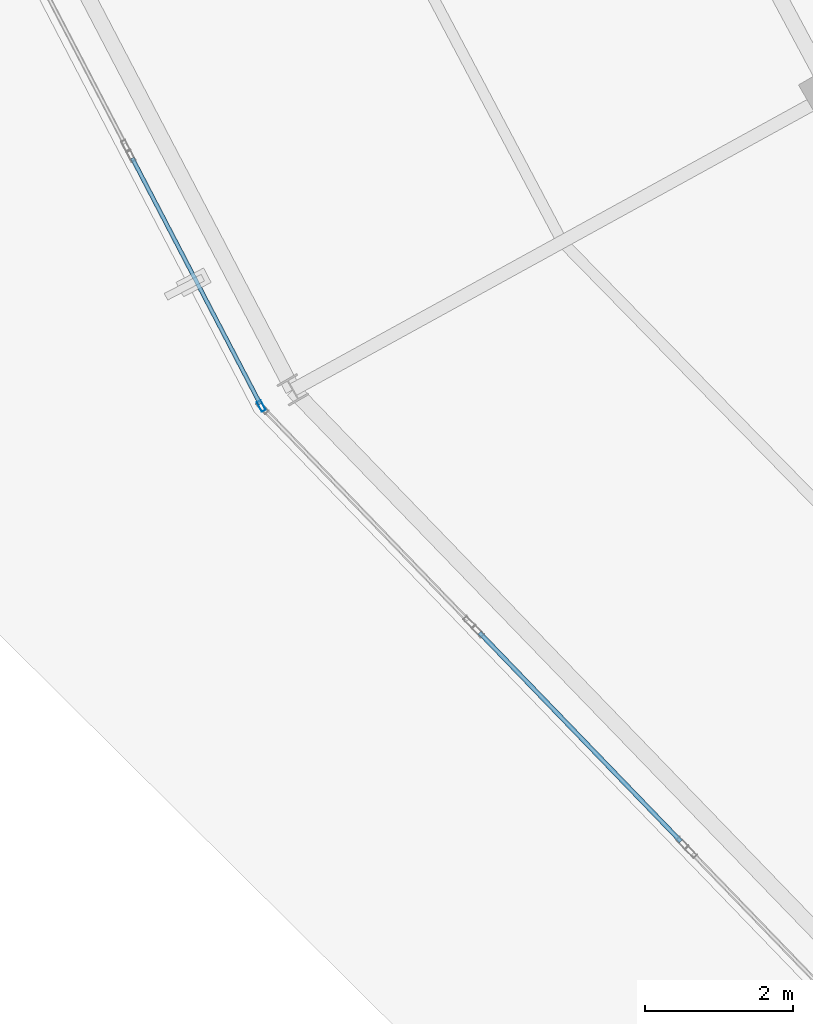
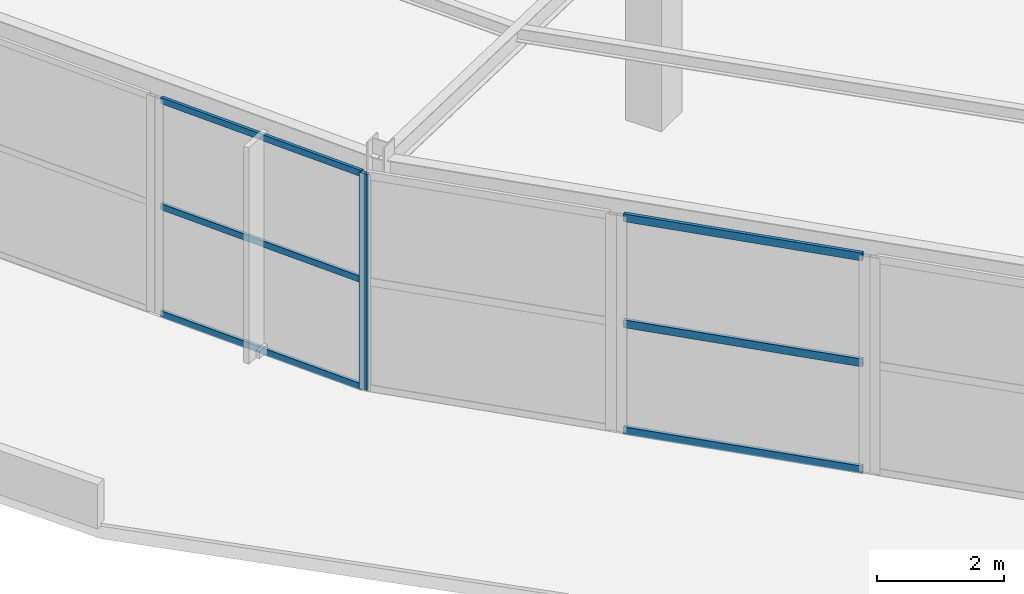
# One storey, part 13 of 126: 7 members, 2 elements without a shape of their own.
"""IFC4 building model written with IfcOpenShell, lengths in metres."""

from ifc_helpers import new_model, si_unit, direction, frame, origin, origin_2d, place, context, subcontext, project, spatial, hollow_rectangle, extrude, material, layer, layer_set, material_profile, profile_set, type_object, element, aggregate, save


model = new_model("IFC4")

# Units and contexts
model_context = context("Model", 3, precision=1e-05, world=origin(), true_north=direction((0.0, 1.0)))
body_context = subcontext(model_context, "Body", "Model", "MODEL_VIEW")
ifc_project = project(units=[si_unit("LENGTHUNIT", "METRE"), si_unit("AREAUNIT", "SQUARE_METRE"), si_unit("VOLUMEUNIT", "CUBIC_METRE"), si_unit("PLANEANGLEUNIT", "RADIAN"), si_unit("MASSUNIT", "GRAM", prefix="KILO")], contexts=[model_context])

# Site, building, storey
site_placement = place(None, origin())
site = spatial("IfcSite", under=ifc_project, at=site_placement, CompositionType="ELEMENT")
building_placement = place(site_placement, origin())
building = spatial("IfcBuilding", under=site, at=building_placement, Name="Kalgoora Escarpment Arena", CompositionType="ELEMENT")
storey_placement = place(building_placement, frame((0.0, 0.0, 18.89990234375)))
storey = spatial("IfcBuildingStorey", under=building, at=storey_placement, Name="L04", CompositionType="ELEMENT", Elevation=18.89990234375)

# Curtain wall, members
ifc_material_1 = material(Name=" Champagne anodised aluminium & double-glazed low-E", Category="aluminium")
ifc_layer_1 = layer(ifc_material_1, 0.154052734375)
ifc_layer_set_1 = layer_set([ifc_layer_1], Name="CW-UNIT-11")
curtain_wall_type_1 = type_object("IfcCurtainWallType", Name="CW-UNIT-11", PredefinedType="NOTDEFINED", material=ifc_layer_set_1)
curtain_wall_1_placement = place(storey_placement, origin())
curtain_wall_1 = element("IfcCurtainWall", 1, at=curtain_wall_1_placement, inside=storey, type_object=curtain_wall_type_1, Name="L04 unitised facade curtain wall 130", PredefinedType="NOTDEFINED")
ifc_material_2 = material(Name="Anodised aluminium 6063-T6", Category="aluminium")
ifc_material_profile_1 = material_profile(ifc_material_2, hollow_rectangle(XDim=0.06005859375, YDim=0.14990234375, WallThickness=0.00341796875, at=origin_2d()))
ifc_profile_set_1 = profile_set([ifc_material_profile_1], Name="Anodised aluminium 6063-T6")
member_type_1 = type_object("IfcMemberType", Name="MEM-CW-MULL-150", PredefinedType="MULLION", material=ifc_profile_set_1)
member_1_placement = place(storey_placement, frame((29.792236328125, 35.281982421875, 0.02001953125), z_axis=(0.0, 0.0, 1.0), x_axis=(-0.886986276427, -0.461795783252, 0.0)))
member_1 = element("IfcMember", 2, at=member_1_placement, type_object=member_type_1, Name="CW-11 mullion 1", PredefinedType="MULLION", context=body_context, shape_type="SweptSolid", body=[
    extrude(hollow_rectangle(XDim=0.06005859375, YDim=0.14990234375, WallThickness=0.00341796875, at=origin_2d()), origin(), (0.0, 0.0, 1.0), 4.150146484375),
])
ifc_material_3 = material(Name="Anodised aluminium 6063-T6", Category="aluminium")
ifc_material_profile_2 = material_profile(ifc_material_3, hollow_rectangle(XDim=0.054931640625, YDim=0.1201171875, WallThickness=0.003173828125, at=origin_2d()))
ifc_profile_set_2 = profile_set([ifc_material_profile_2], Name="Anodised aluminium 6063-T6")
member_type_2 = type_object("IfcMemberType", Name="MEM-CW-TRAN-120", PredefinedType="USERDEFINED", material=ifc_profile_set_2)
member_2_placement = place(storey_placement, frame((29.778564453125, 35.30859375, 0.047607421875), z_axis=(-0.461806233192, 0.886980835748, 0.0), x_axis=(-0.886980835748, -0.461806233192, 0.0)))
member_2 = element("IfcMember", 3, at=member_2_placement, type_object=member_type_2, Name="CW-11 transom 1.1", ObjectType="TRANSOM", PredefinedType="USERDEFINED", context=body_context, shape_type="SweptSolid", body=[
    extrude(hollow_rectangle(XDim=0.054931640625, YDim=0.1201171875, WallThickness=0.003173828125, at=origin_2d()), origin(), (0.0, 0.0, 1.0), 3.74560546875),
])
member_3_placement = place(storey_placement, frame((29.778564453125, 35.30859375, 2.10498046875), z_axis=(-0.461806233192, 0.886980835748, 0.0), x_axis=(-0.886980835748, -0.461806233192, 0.0)))
member_3 = element("IfcMember", 4, at=member_3_placement, type_object=member_type_2, Name="CW-11 transom 1.2", ObjectType="TRANSOM", PredefinedType="USERDEFINED", context=body_context, shape_type="SweptSolid", body=[
    extrude(hollow_rectangle(XDim=0.054931640625, YDim=0.1201171875, WallThickness=0.003173828125, at=origin_2d()), origin(), (0.0, 0.0, 1.0), 3.74560546875),
])
member_4_placement = place(storey_placement, frame((29.778564453125, 35.30859375, 4.142578125), z_axis=(-0.461806233192, 0.886980835748, 0.0), x_axis=(-0.886980835748, -0.461806233192, 0.0)))
member_4 = element("IfcMember", 5, at=member_4_placement, type_object=member_type_2, Name="CW-11 transom 1.3", ObjectType="TRANSOM", PredefinedType="USERDEFINED", context=body_context, shape_type="SweptSolid", body=[
    extrude(hollow_rectangle(XDim=0.054931640625, YDim=0.1201171875, WallThickness=0.003173828125, at=origin_2d()), origin(), (0.0, 0.0, 1.0), 3.74560546875),
])
aggregate(curtain_wall_1, [member_1, member_2, member_3, member_4])

ifc_material_4 = material(Name=" Champagne anodised aluminium & double-glazed low-E", Category="aluminium")
ifc_layer_2 = layer(ifc_material_4, 0.166015625)
ifc_layer_set_2 = layer_set([ifc_layer_2], Name="CW-UNIT-09")
curtain_wall_type_2 = type_object("IfcCurtainWallType", Name="CW-UNIT-09", PredefinedType="NOTDEFINED", material=ifc_layer_set_2)
curtain_wall_2_placement = place(storey_placement, origin())
curtain_wall_2 = element("IfcCurtainWall", 6, at=curtain_wall_2_placement, inside=storey, type_object=curtain_wall_type_2, Name="L04 unitised facade curtain wall 128", PredefinedType="NOTDEFINED")
ifc_material_5 = material(Name="Anodised aluminium 6063-T6", Category="aluminium")
ifc_material_profile_3 = material_profile(ifc_material_5, hollow_rectangle(XDim=0.06005859375, YDim=0.14990234375, WallThickness=0.00341796875, at=origin_2d()))
ifc_profile_set_3 = profile_set([ifc_material_profile_3], Name="Anodised aluminium 6063-T6")
member_type_3 = type_object("IfcMemberType", Name="MEM-CW-TRAN-150", PredefinedType="USERDEFINED", material=ifc_profile_set_3)
member_5_placement = place(storey_placement, frame((35.459228515625, 29.4013671875, 0.050048828125), z_axis=(-0.694202527693, 0.719779723627, 0.0), x_axis=(-0.719779723627, -0.694202527693, 0.0)))
member_5 = element("IfcMember", 7, at=member_5_placement, type_object=member_type_3, Name="CW-09 transom 1.1", ObjectType="TRANSOM", PredefinedType="USERDEFINED", context=body_context, shape_type="SweptSolid", body=[
    extrude(hollow_rectangle(XDim=0.06005859375, YDim=0.14990234375, WallThickness=0.00341796875, at=origin_2d()), origin(), (0.0, 0.0, 1.0), 3.91357421875),
])
member_6_placement = place(storey_placement, frame((35.459228515625, 29.4013671875, 2.10498046875), z_axis=(-0.694202527693, 0.719779723627, 0.0), x_axis=(-0.719779723627, -0.694202527693, 0.0)))
member_6 = element("IfcMember", 8, at=member_6_placement, type_object=member_type_3, Name="CW-09 transom 1.2", ObjectType="TRANSOM", PredefinedType="USERDEFINED", context=body_context, shape_type="SweptSolid", body=[
    extrude(hollow_rectangle(XDim=0.06005859375, YDim=0.14990234375, WallThickness=0.00341796875, at=origin_2d()), origin(), (0.0, 0.0, 1.0), 3.91357421875),
])
member_7_placement = place(storey_placement, frame((35.459228515625, 29.4013671875, 4.14013671875), z_axis=(-0.694202527693, 0.719779723627, 0.0), x_axis=(-0.719779723627, -0.694202527693, 0.0)))
member_7 = element("IfcMember", 9, at=member_7_placement, type_object=member_type_3, Name="CW-09 transom 1.3", ObjectType="TRANSOM", PredefinedType="USERDEFINED", context=body_context, shape_type="SweptSolid", body=[
    extrude(hollow_rectangle(XDim=0.06005859375, YDim=0.14990234375, WallThickness=0.00341796875, at=origin_2d()), origin(), (0.0, 0.0, 1.0), 3.91357421875),
])
aggregate(curtain_wall_2, [member_5, member_6, member_7])

save(model, "model.ifc")
